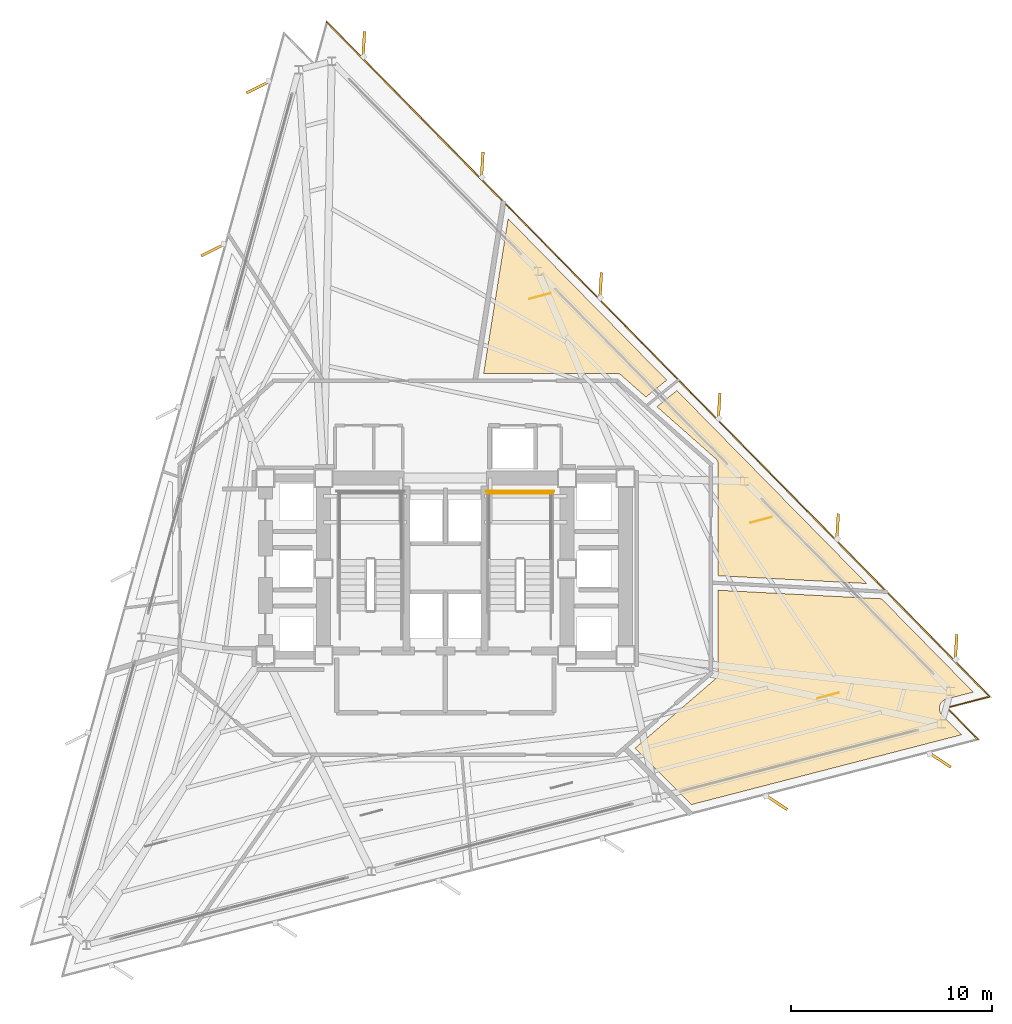
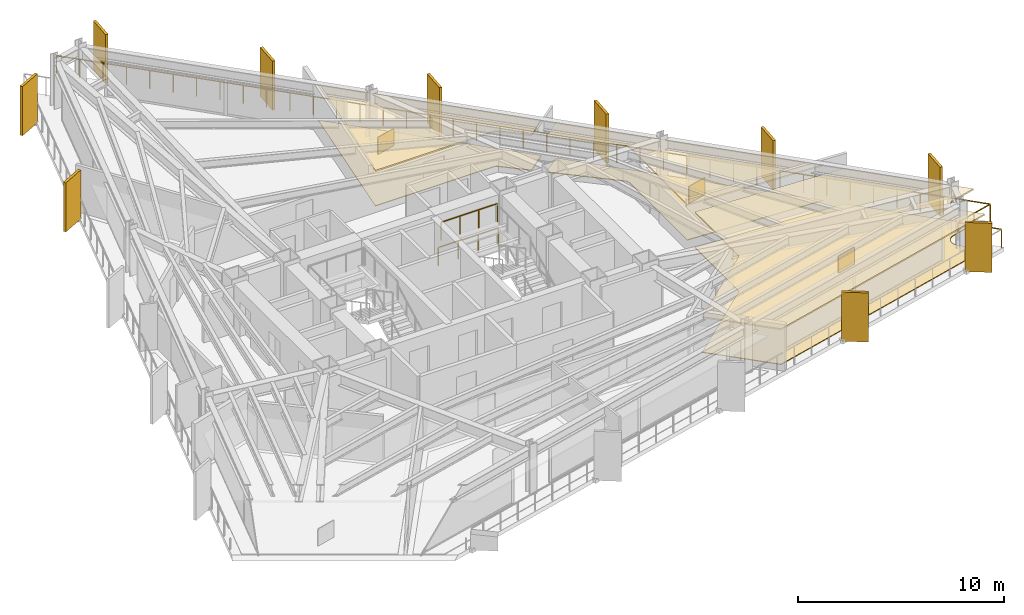
# One storey, part 11 of 11: 10 shading devices, 9 coverings, 3 railings.
"""IFC4 building model written with IfcOpenShell, lengths in metres."""

from ifc_helpers import new_model, si_unit, direction, frame, origin, origin_2d, place, context, subcontext, project, spatial, polyline, rectangle, outline, extrude, material, layer, layer_set, type_object, element, save


model = new_model("IFC4")

# Units and contexts
model_context = context("Model", 3, precision=1e-05, world=origin(), true_north=direction((0.0, 1.0)))
body_context = subcontext(model_context, "Body", "Model", "MODEL_VIEW")
ifc_project = project(units=[si_unit("LENGTHUNIT", "METRE"), si_unit("AREAUNIT", "SQUARE_METRE"), si_unit("VOLUMEUNIT", "CUBIC_METRE"), si_unit("PLANEANGLEUNIT", "RADIAN"), si_unit("MASSUNIT", "GRAM", prefix="KILO")], contexts=[model_context])

# Site, building, storey
site_placement = place(None, origin())
site = spatial("IfcSite", under=ifc_project, at=site_placement, CompositionType="ELEMENT")
building_placement = place(site_placement, origin())
building = spatial("IfcBuilding", under=site, at=building_placement, Name="Rocaltana Carrier Exchange", CompositionType="ELEMENT")
storey_placement = place(building_placement, frame((0.0, 0.0, 94.719970703125)))
storey = spatial("IfcBuildingStorey", under=building, at=storey_placement, Name="L29", CompositionType="ELEMENT", Elevation=94.719970703125)

# Coverings
ifc_material_1 = material(Name="Honed Bogota Sandstone Tile", Category="masonry")
ifc_layer_1 = layer(ifc_material_1, 0.0400390625)
ifc_layer_set_1 = layer_set([ifc_layer_1], Name="Honed Bogota Sandstone Tile")
covering_type_1 = type_object("IfcCoveringType", Name="Honed Stone Lobby Flooring 40", PredefinedType="FLOORING", material=ifc_layer_set_1)
covering_1_placement = place(storey_placement, origin())
element("IfcCovering", 1, at=covering_1_placement, inside=storey, type_object=covering_type_1, Name="L29 Carrier Peering Suite Finish Floor", PredefinedType="FLOORING", context=body_context, shape_type="SweptSolid", body=[
    extrude(outline(polyline([(26.24072265625, -6.1357421875), (24.915771484375, -6.478515625), (24.90234375, -6.482177734375), (24.88330078125, -6.48828125), (24.857177734375, -6.497802734375), (24.838623046875, -6.505615234375), (24.813720703125, -6.517822265625), (24.796142578125, -6.52734375), (24.7724609375, -6.5419921875), (24.755859375, -6.553466796875), (24.73388671875, -6.5703125), (24.718505859375, -6.583251953125), (24.697998046875, -6.602294921875), (24.684326171875, -6.61669921875), (24.666015625, -6.6376953125), (24.653564453125, -6.6533203125), (24.63720703125, -6.67578125), (24.62646484375, -6.692626953125), (24.61279296875, -6.717041015625), (24.603515625, -6.734619140625), (24.59228515625, -6.76025390625), (24.5849609375, -6.77880859375), (24.576416015625, -6.805419921875), (24.57080078125, -6.824462890625), (24.564697265625, -6.851806640625), (24.561279296875, -6.871337890625), (24.55810546875, -6.899169921875), (24.556640625, -6.9189453125), (24.55615234375, -6.947021484375), (24.556640625, -6.966796875), (24.558837890625, -6.99462890625), (24.561279296875, -7.014404296875), (24.56640625, -7.0419921875), (24.57080078125, -7.061279296875), (24.57861328125, -7.088134765625), (24.5849609375, -7.10693359375), (24.59521484375, -7.133056640625), (24.603515625, -7.151123046875), (24.6162109375, -7.17578125), (24.626220703125, -7.193115234375), (24.6416015625, -7.216552734375), (24.6533203125, -7.232666015625), (24.6708984375, -7.25439453125), (24.68408203125, -7.269287109375), (24.693603515625, -7.279541015625), (25.65283203125, -8.255615234375), (12.23486328125, -11.725830078125), (9.431640625, -8.922607421875), (13.43505859375, -5.47265625), (13.44482421875, -5.4638671875), (13.450439453125, -5.45849609375), (13.468994140625, -5.439208984375), (13.47412109375, -5.433349609375), (13.490478515625, -5.41259765625), (13.4951171875, -5.40625), (13.509521484375, -5.3837890625), (13.51318359375, -5.377197265625), (13.525634765625, -5.353515625), (13.52880859375, -5.346435546875), (13.538818359375, -5.32177734375), (13.541259765625, -5.314453125), (13.548828125, -5.288818359375), (13.550537109375, -5.281494140625), (13.5556640625, -5.255126953125), (13.556884765625, -5.24755859375), (13.559326171875, -5.220947265625), (13.559814453125, -5.21337890625), (13.56005859375, -5.199951171875), (13.56005859375, -1.071044921875), (21.68212890625, -1.496826171875), (26.24072265625, -6.1357421875)])), origin(), (0.0, 0.0, 1.0), 0.0400390625),
])
covering_2_placement = place(storey_placement, origin())
element("IfcCovering", 2, at=covering_2_placement, inside=storey, type_object=covering_type_1, Name="L29 Peering Conference Room Finish Floor", PredefinedType="FLOORING", context=body_context, shape_type="SweptSolid", body=[
    extrude(outline(polyline([(20.935302734375, -0.73681640625), (13.56005859375, -0.35009765625), (13.56005859375, 5.199951171875), (13.559814453125, 5.213134765625), (13.559326171875, 5.220703125), (13.556884765625, 5.246826171875), (13.555908203125, 5.25439453125), (13.55078125, 5.2802734375), (13.549072265625, 5.28759765625), (13.541748046875, 5.31298828125), (13.539306640625, 5.320068359375), (13.529541015625, 5.344482421875), (13.526611328125, 5.351318359375), (13.5146484375, 5.375), (13.5107421875, 5.38134765625), (13.49658203125, 5.40380859375), (13.492431640625, 5.409912109375), (13.476318359375, 5.4306640625), (13.471435546875, 5.436279296875), (13.453369140625, 5.455810546875), (13.447998046875, 5.4609375), (13.438232421875, 5.469970703125), (10.5146484375, 8.051513671875), (11.50830078125, 8.856201171875), (20.935302734375, -0.73681640625)])), origin(), (0.0, 0.0, 1.0), 0.0400390625),
])
covering_3_placement = place(storey_placement, origin())
element("IfcCovering", 3, at=covering_3_placement, inside=storey, type_object=covering_type_1, Name="L29 Carrier Peering Suite Finish Floor", PredefinedType="FLOORING", context=body_context, shape_type="SweptSolid", body=[
    extrude(outline(polyline([(11.00146484375, 9.3720703125), (9.96728515625, 8.53466796875), (8.73828125, 9.619873046875), (8.727294921875, 9.629150390625), (8.720703125, 9.63427734375), (8.697265625, 9.651123046875), (8.690185546875, 9.655517578125), (8.6650390625, 9.669921875), (8.65771484375, 9.673583984375), (8.631103515625, 9.68505859375), (8.62353515625, 9.68798828125), (8.595947265625, 9.697021484375), (8.587890625, 9.698974609375), (8.5595703125, 9.704833984375), (8.551513671875, 9.706298828125), (8.522705078125, 9.709228515625), (8.514404296875, 9.709716796875), (8.5, 9.7099609375), (1.90234375, 9.7099609375), (3.119384765625, 17.392822265625), (11.00146484375, 9.3720703125)])), origin(), (0.0, 0.0, 1.0), 0.0400390625),
])
ifc_material_2 = material(Name="Anodised Aluminium 6063-T6", Category="aluminium")
ifc_layer_2 = layer(ifc_material_2, 0.0849609375)
ifc_layer_set_2 = layer_set([ifc_layer_2], Name="Anodised Aluminium 6063-T6")
covering_type_2 = type_object("IfcCoveringType", Name="Linear Baffle Acoustic Ceiling 85", PredefinedType="CEILING", material=ifc_layer_set_2)
covering_4_placement = place(storey_placement, frame((0.0, 0.0, 2.052978515625)))
element("IfcCovering", 4, at=covering_4_placement, inside=storey, type_object=covering_type_2, Name="L29 Carrier Peering Suite Acoustic Ceiling", PredefinedType="CEILING", context=body_context, shape_type="SweptSolid", body=[
    extrude(outline(polyline([(26.24072265625, -6.1357421875), (24.915771484375, -6.478515625), (24.90234375, -6.482177734375), (24.88330078125, -6.48828125), (24.857177734375, -6.497802734375), (24.838623046875, -6.505615234375), (24.813720703125, -6.517822265625), (24.796142578125, -6.52734375), (24.7724609375, -6.5419921875), (24.755859375, -6.553466796875), (24.73388671875, -6.5703125), (24.718505859375, -6.583251953125), (24.697998046875, -6.602294921875), (24.684326171875, -6.61669921875), (24.666015625, -6.6376953125), (24.653564453125, -6.6533203125), (24.63720703125, -6.67578125), (24.62646484375, -6.692626953125), (24.61279296875, -6.717041015625), (24.603515625, -6.734619140625), (24.59228515625, -6.76025390625), (24.5849609375, -6.77880859375), (24.576416015625, -6.805419921875), (24.57080078125, -6.824462890625), (24.564697265625, -6.851806640625), (24.561279296875, -6.871337890625), (24.55810546875, -6.899169921875), (24.556640625, -6.9189453125), (24.55615234375, -6.947021484375), (24.556640625, -6.966796875), (24.558837890625, -6.99462890625), (24.561279296875, -7.014404296875), (24.56640625, -7.0419921875), (24.57080078125, -7.061279296875), (24.57861328125, -7.088134765625), (24.5849609375, -7.10693359375), (24.59521484375, -7.133056640625), (24.603515625, -7.151123046875), (24.6162109375, -7.17578125), (24.626220703125, -7.193115234375), (24.6416015625, -7.216552734375), (24.6533203125, -7.232666015625), (24.6708984375, -7.25439453125), (24.68408203125, -7.269287109375), (24.693603515625, -7.279541015625), (25.65283203125, -8.255615234375), (12.23486328125, -11.725830078125), (9.431640625, -8.922607421875), (13.43505859375, -5.47265625), (13.44482421875, -5.4638671875), (13.450439453125, -5.45849609375), (13.468994140625, -5.439208984375), (13.47412109375, -5.433349609375), (13.490478515625, -5.41259765625), (13.4951171875, -5.40625), (13.509521484375, -5.3837890625), (13.51318359375, -5.377197265625), (13.525634765625, -5.353515625), (13.52880859375, -5.346435546875), (13.538818359375, -5.32177734375), (13.541259765625, -5.314453125), (13.548828125, -5.288818359375), (13.550537109375, -5.281494140625), (13.5556640625, -5.255126953125), (13.556884765625, -5.24755859375), (13.559326171875, -5.220947265625), (13.559814453125, -5.21337890625), (13.56005859375, -5.199951171875), (13.56005859375, -1.071044921875), (21.68212890625, -1.496826171875), (26.24072265625, -6.1357421875)])), origin(), (0.0, 0.0, 1.0), 0.0849609375),
])
covering_5_placement = place(storey_placement, frame((0.0, 0.0, 2.052978515625)))
element("IfcCovering", 5, at=covering_5_placement, inside=storey, type_object=covering_type_2, Name="L29 Peering Conference Room Acoustic Ceiling", PredefinedType="CEILING", context=body_context, shape_type="SweptSolid", body=[
    extrude(outline(polyline([(20.935302734375, -0.73681640625), (13.56005859375, -0.35009765625), (13.56005859375, 5.199951171875), (13.559814453125, 5.213134765625), (13.559326171875, 5.220703125), (13.556884765625, 5.246826171875), (13.555908203125, 5.25439453125), (13.55078125, 5.2802734375), (13.549072265625, 5.28759765625), (13.541748046875, 5.31298828125), (13.539306640625, 5.320068359375), (13.529541015625, 5.344482421875), (13.526611328125, 5.351318359375), (13.5146484375, 5.375), (13.5107421875, 5.38134765625), (13.49658203125, 5.40380859375), (13.492431640625, 5.409912109375), (13.476318359375, 5.4306640625), (13.471435546875, 5.436279296875), (13.453369140625, 5.455810546875), (13.447998046875, 5.4609375), (13.438232421875, 5.469970703125), (10.5146484375, 8.051513671875), (11.50830078125, 8.856201171875), (20.935302734375, -0.73681640625)])), origin(), (0.0, 0.0, 1.0), 0.0849609375),
])
covering_6_placement = place(storey_placement, frame((0.0, 0.0, 2.052978515625)))
element("IfcCovering", 6, at=covering_6_placement, inside=storey, type_object=covering_type_2, Name="L29 Carrier Peering Suite Acoustic Ceiling", PredefinedType="CEILING", context=body_context, shape_type="SweptSolid", body=[
    extrude(outline(polyline([(11.00146484375, 9.3720703125), (9.96728515625, 8.53466796875), (8.73828125, 9.619873046875), (8.727294921875, 9.629150390625), (8.720703125, 9.63427734375), (8.697265625, 9.651123046875), (8.690185546875, 9.655517578125), (8.6650390625, 9.669921875), (8.65771484375, 9.673583984375), (8.631103515625, 9.68505859375), (8.62353515625, 9.68798828125), (8.595947265625, 9.697021484375), (8.587890625, 9.698974609375), (8.5595703125, 9.704833984375), (8.551513671875, 9.706298828125), (8.522705078125, 9.709228515625), (8.514404296875, 9.709716796875), (8.5, 9.7099609375), (1.90234375, 9.7099609375), (3.119384765625, 17.392822265625), (11.00146484375, 9.3720703125)])), origin(), (0.0, 0.0, 1.0), 0.0849609375),
])

# Railings
ifc_material_3 = material(Name="Powder-Coated Aluminium 6063-T6", Category="aluminium")
ifc_layer_3 = layer(ifc_material_3, 0.048095703125)
ifc_layer_set_3 = layer_set([ifc_layer_3], Name="Powder-Coated Aluminium 6063-T6")
railing_type_1 = type_object("IfcRailingType", Name="Stair Well Guardrail 1100", PredefinedType="GUARDRAIL", material=ifc_layer_set_3)
railing_1_placement = place(storey_placement, frame((5.300048828125, 3.75, 1.52001953125)))
element("IfcRailing", 7, at=railing_1_placement, inside=storey, type_object=railing_type_1, Name="L29 ST-2 stair guard 5", PredefinedType="GUARDRAIL", context=body_context, shape_type="SweptSolid", body=[
    extrude(rectangle(XDim=0.048095703125, YDim=0.048095703125, at=origin_2d()), frame((0.0, 0.0, 1.076171875), z_axis=(-1.0, 0.0, 0.0), x_axis=(0.0, -1.0, 0.0)), (0.0, 0.0, 1.0), 3.16015625),
    extrude(rectangle(XDim=0.0419921875, YDim=0.0419921875, at=origin_2d()), origin(), (0.0, 0.0, 1.0), 1.052001953125),
    extrude(rectangle(XDim=0.0419921875, YDim=0.0419921875, at=origin_2d()), frame((-1.053466796875, 0.0, 0.0)), (0.0, 0.0, 1.0), 1.052001953125),
    extrude(rectangle(XDim=0.0419921875, YDim=0.0419921875, at=origin_2d()), frame((-2.106689453125, 0.0, 0.0)), (0.0, 0.0, 1.0), 1.052001953125),
    extrude(rectangle(XDim=0.0419921875, YDim=0.0419921875, at=origin_2d()), frame((-3.16015625, 0.0, 0.0)), (0.0, 0.0, 1.0), 1.052001953125),
])
railing_2_placement = place(storey_placement, frame((5.39990234375, 3.85009765625, 0.0)))
element("IfcRailing", 8, at=railing_2_placement, inside=storey, type_object=railing_type_1, Name="L29 ST-2 stair guard 12", PredefinedType="GUARDRAIL", context=body_context, shape_type="SweptSolid", body=[
    extrude(rectangle(XDim=0.048095703125, YDim=0.048095703125, at=origin_2d()), frame((0.0, 0.0, 1.076171875), z_axis=(-1.0, 0.0, 0.0), x_axis=(0.0, -1.0, 0.0)), (0.0, 0.0, 1.0), 3.35986328125),
    extrude(rectangle(XDim=0.0419921875, YDim=0.0419921875, at=origin_2d()), origin(), (0.0, 0.0, 1.0), 1.052001953125),
    extrude(rectangle(XDim=0.0419921875, YDim=0.0419921875, at=origin_2d()), frame((-1.119873046875, 0.0, 0.0)), (0.0, 0.0, 1.0), 1.052001953125),
    extrude(rectangle(XDim=0.0419921875, YDim=0.0419921875, at=origin_2d()), frame((-2.239990234375, 0.0, 0.0)), (0.0, 0.0, 1.0), 1.052001953125),
    extrude(rectangle(XDim=0.0419921875, YDim=0.0419921875, at=origin_2d()), frame((-3.35986328125, 0.0, 0.0)), (0.0, 0.0, 1.0), 1.052001953125),
])

# Coverings
ifc_material_4 = material(Name="Honed Piedra Muneca Sandstone", Category="masonry")
ifc_layer_4 = layer(ifc_material_4, 0.034912109375)
ifc_layer_set_4 = layer_set([ifc_layer_4], Name="Honed Piedra Muneca Sandstone")
covering_type_3 = type_object("IfcCoveringType", Name="Stone Facade Cladding 35", PredefinedType="CLADDING", material=ifc_layer_set_4)
for number, where, z_axis, x_axis, name in (
    (9, (19.0224609375, -6.306884765625, 0.0), (0.0, 0.0, 1.0), (0.965925826289, 0.258819045103, 0.0), "L29 Stone Facade Cladding Panel 5"),
    (10, (15.694091796875, 2.4248046875, 0.0), (0.0, 0.0, 1.0), (0.965925826289, 0.258819045103, 0.0), "L29 Stone Facade Cladding Panel 6"),
    (11, (4.702392578125, 13.551513671875, 0.0), (0.0, 0.0, 1.0), (0.965925826289, 0.258819045103, 0.0), "L29 Stone Facade Cladding Panel 7"),
):
    element("IfcCovering", number, at=place(storey_placement, frame(where, z_axis=z_axis, x_axis=x_axis)), inside=storey, type_object=covering_type_3, Name=name, PredefinedType="CLADDING", context=body_context, shape_type="SweptSolid", body=[
        extrude(rectangle(XDim=1.10009765625, YDim=0.034912109375, at=origin_2d()), origin(), (0.0, 0.0, 1.0), 1.050048828125),
    ])

# Shading devices
ifc_material_5 = material(Name="Honed Bogota Sandstone & Concrete C45/55", Category="masonry")
ifc_layer_5 = layer(ifc_material_5, 0.139892578125)
ifc_layer_set_5 = layer_set([ifc_layer_5], Name="Honed Bogota Sandstone & Concrete C45/55")
shading_device_type = type_object("IfcShadingDeviceType", Name="Vertical Sandstone Shading Fin 1320x140", PredefinedType="USERDEFINED", material=ifc_layer_set_5)
for number, where, z_axis, x_axis, name in (
    (12, (25.38134765625, -3.9189453125, -0.1201171875), (0.0, 0.0, 1.0), (0.061048539535, 0.998134798422, 0.0), "L29 Sandstone Vertical Fin F1-01"),
    (13, (19.49365234375, 2.072509765625, -0.1201171875), (0.0, 0.0, 1.0), (0.061048539535, 0.998134798422, 0.0), "L29 Sandstone Vertical Fin F1-02"),
    (14, (13.60595703125, 8.063720703125, -0.1201171875), (0.0, 0.0, 1.0), (0.061048539535, 0.998134798422, 0.0), "L29 Sandstone Vertical Fin F1-03"),
    (15, (7.718505859375, 14.054931640625, -0.1201171875), (0.0, 0.0, 1.0), (0.061048539535, 0.998134798422, 0.0), "L29 Sandstone Vertical Fin F1-04"),
    (16, (1.830810546875, 20.04638671875, -0.1201171875), (0.0, 0.0, 1.0), (0.061048539535, 0.998134798422, 0.0), "L29 Sandstone Vertical Fin F1-05"),
    (17, (-4.056884765625, 26.03759765625, -0.1201171875), (0.0, 0.0, 1.0), (0.061048539535, 0.998134798422, 0.0), "L29 Sandstone Vertical Fin F1-06"),
    (18, (-9.296630859375, 23.940185546875, -0.1201171875), (0.0, 0.0, 1.0), (-0.894934361602, -0.44619781311, 0.0), "L29 Sandstone Vertical Fin F2-01"),
    (19, (-11.54150390625, 15.845703125, -0.1201171875), (0.0, 0.0, 1.0), (-0.894934361602, -0.44619781311, 0.0), "L29 Sandstone Vertical Fin F2-02"),
    (20, (16.4453125, -11.608642578125, -0.1201171875), (0.0, 0.0, 1.0), (0.833885822067, -0.551936985312, 0.0), "L29 Sandstone Vertical Fin F3-05"),
    (21, (24.57763671875, -9.50537109375, -0.1201171875), (0.0, 0.0, 1.0), (0.833885822067, -0.551936985312, 0.0), "L29 Sandstone Vertical Fin F3-06"),
):
    element("IfcShadingDevice", number, at=place(storey_placement, frame(where, z_axis=z_axis, x_axis=x_axis)), inside=storey, type_object=shading_device_type, Name=name, ObjectType="FIN", PredefinedType="USERDEFINED", context=body_context, shape_type="SweptSolid", body=[
        extrude(rectangle(XDim=1.320068359375, YDim=0.139892578125, at=origin_2d()), origin(), (0.0, 0.0, 1.0), 2.907958984375),
    ])

# Railing
ifc_material_6 = material(Name="Powder-Coated Aluminium 6063-T6", Category="aluminium")
ifc_layer_6 = layer(ifc_material_6, 0.06005859375)
ifc_layer_set_6 = layer_set([ifc_layer_6], Name="Powder-Coated Aluminium 6063-T6")
railing_type_2 = type_object("IfcRailingType", Name="Wind-Floor & Terrace Perimeter Guardrail 1100", PredefinedType="GUARDRAIL", material=ifc_layer_set_6)
railing_3_placement = place(storey_placement, frame((-5.88720703125, 27.156982421875, 0.0)))
element("IfcRailing", 22, at=railing_3_placement, inside=storey, type_object=railing_type_2, Name="L29 Perimeter Balcony Guardrail 3", PredefinedType="GUARDRAIL", context=body_context, shape_type="SweptSolid", body=[
    extrude(rectangle(XDim=0.048095703125, YDim=0.048095703125, at=origin_2d()), frame((0.0, 0.0, 1.076171875), z_axis=(0.7009130267, -0.713246751835, 0.0), x_axis=(0.713246751835, 0.7009130267, 0.0)), (0.0, 0.0, 1.0), 46.9921875),
    extrude(rectangle(XDim=0.048095703125, YDim=0.048095703125, at=origin_2d()), frame((32.9375, -33.51708984375, 1.076171875), z_axis=(-0.968152477167, -0.250361300835, 0.0), x_axis=(0.250361300835, -0.968152477167, 0.0)), (0.0, 0.0, 1.0), 2.199951171875),
    extrude(rectangle(XDim=0.048095703125, YDim=0.048095703125, at=origin_2d()), frame((30.8076171875, -34.06787109375, 1.076171875), z_axis=(0.700920820206, -0.713239093012, 0.0), x_axis=(0.713239093012, 0.700920820206, 0.0)), (0.0, 0.0, 1.0), 2.199951171875),
    extrude(rectangle(XDim=0.0419921875, YDim=0.0419921875, at=origin_2d()), origin(), (0.0, 0.0, 1.0), 1.052001953125),
    extrude(rectangle(XDim=0.0419921875, YDim=0.0419921875, at=origin_2d()), frame((0.823486328125, -0.837890625, 0.0)), (0.0, 0.0, 1.0), 1.052001953125),
    extrude(rectangle(XDim=0.0419921875, YDim=0.0419921875, at=origin_2d()), frame((1.64697265625, -1.67578125, 0.0)), (0.0, 0.0, 1.0), 1.052001953125),
    extrude(rectangle(XDim=0.0419921875, YDim=0.0419921875, at=origin_2d()), frame((2.47021484375, -2.513671875, 0.0)), (0.0, 0.0, 1.0), 1.052001953125),
    extrude(rectangle(XDim=0.0419921875, YDim=0.0419921875, at=origin_2d()), frame((3.293701171875, -3.351806640625, 0.0)), (0.0, 0.0, 1.0), 1.052001953125),
    extrude(rectangle(XDim=0.0419921875, YDim=0.0419921875, at=origin_2d()), frame((4.1171875, -4.189697265625, 0.0)), (0.0, 0.0, 1.0), 1.052001953125),
    extrude(rectangle(XDim=0.0419921875, YDim=0.0419921875, at=origin_2d()), frame((4.940673828125, -5.027587890625, 0.0)), (0.0, 0.0, 1.0), 1.052001953125),
    extrude(rectangle(XDim=0.0419921875, YDim=0.0419921875, at=origin_2d()), frame((5.76416015625, -5.865478515625, 0.0)), (0.0, 0.0, 1.0), 1.052001953125),
    extrude(rectangle(XDim=0.0419921875, YDim=0.0419921875, at=origin_2d()), frame((6.58740234375, -6.703369140625, 0.0)), (0.0, 0.0, 1.0), 1.052001953125),
    extrude(rectangle(XDim=0.0419921875, YDim=0.0419921875, at=origin_2d()), frame((7.410888671875, -7.541259765625, 0.0)), (0.0, 0.0, 1.0), 1.052001953125),
    extrude(rectangle(XDim=0.0419921875, YDim=0.0419921875, at=origin_2d()), frame((8.234375, -8.37939453125, 0.0)), (0.0, 0.0, 1.0), 1.052001953125),
    extrude(rectangle(XDim=0.0419921875, YDim=0.0419921875, at=origin_2d()), frame((9.057861328125, -9.21728515625, 0.0)), (0.0, 0.0, 1.0), 1.052001953125),
    extrude(rectangle(XDim=0.0419921875, YDim=0.0419921875, at=origin_2d()), frame((9.88134765625, -10.05517578125, 0.0)), (0.0, 0.0, 1.0), 1.052001953125),
    extrude(rectangle(XDim=0.0419921875, YDim=0.0419921875, at=origin_2d()), frame((10.70458984375, -10.89306640625, 0.0)), (0.0, 0.0, 1.0), 1.052001953125),
    extrude(rectangle(XDim=0.0419921875, YDim=0.0419921875, at=origin_2d()), frame((11.528076171875, -11.73095703125, 0.0)), (0.0, 0.0, 1.0), 1.052001953125),
    extrude(rectangle(XDim=0.0419921875, YDim=0.0419921875, at=origin_2d()), frame((12.3515625, -12.56884765625, 0.0)), (0.0, 0.0, 1.0), 1.052001953125),
    extrude(rectangle(XDim=0.0419921875, YDim=0.0419921875, at=origin_2d()), frame((13.175048828125, -13.40673828125, 0.0)), (0.0, 0.0, 1.0), 1.052001953125),
    extrude(rectangle(XDim=0.0419921875, YDim=0.0419921875, at=origin_2d()), frame((13.99853515625, -14.244873046875, 0.0)), (0.0, 0.0, 1.0), 1.052001953125),
    extrude(rectangle(XDim=0.0419921875, YDim=0.0419921875, at=origin_2d()), frame((14.82177734375, -15.082763671875, 0.0)), (0.0, 0.0, 1.0), 1.052001953125),
    extrude(rectangle(XDim=0.0419921875, YDim=0.0419921875, at=origin_2d()), frame((15.645263671875, -15.920654296875, 0.0)), (0.0, 0.0, 1.0), 1.052001953125),
    extrude(rectangle(XDim=0.0419921875, YDim=0.0419921875, at=origin_2d()), frame((16.46875, -16.758544921875, 0.0)), (0.0, 0.0, 1.0), 1.052001953125),
    extrude(rectangle(XDim=0.0419921875, YDim=0.0419921875, at=origin_2d()), frame((17.292236328125, -17.596435546875, 0.0)), (0.0, 0.0, 1.0), 1.052001953125),
    extrude(rectangle(XDim=0.0419921875, YDim=0.0419921875, at=origin_2d()), frame((18.11572265625, -18.434326171875, 0.0)), (0.0, 0.0, 1.0), 1.052001953125),
    extrude(rectangle(XDim=0.0419921875, YDim=0.0419921875, at=origin_2d()), frame((18.93896484375, -19.272216796875, 0.0)), (0.0, 0.0, 1.0), 1.052001953125),
    extrude(rectangle(XDim=0.0419921875, YDim=0.0419921875, at=origin_2d()), frame((19.762451171875, -20.1103515625, 0.0)), (0.0, 0.0, 1.0), 1.052001953125),
    extrude(rectangle(XDim=0.0419921875, YDim=0.0419921875, at=origin_2d()), frame((20.5859375, -20.9482421875, 0.0)), (0.0, 0.0, 1.0), 1.052001953125),
    extrude(rectangle(XDim=0.0419921875, YDim=0.0419921875, at=origin_2d()), frame((21.409423828125, -21.7861328125, 0.0)), (0.0, 0.0, 1.0), 1.052001953125),
    extrude(rectangle(XDim=0.0419921875, YDim=0.0419921875, at=origin_2d()), frame((22.23291015625, -22.6240234375, 0.0)), (0.0, 0.0, 1.0), 1.052001953125),
    extrude(rectangle(XDim=0.0419921875, YDim=0.0419921875, at=origin_2d()), frame((23.05615234375, -23.4619140625, 0.0)), (0.0, 0.0, 1.0), 1.052001953125),
    extrude(rectangle(XDim=0.0419921875, YDim=0.0419921875, at=origin_2d()), frame((23.879638671875, -24.2998046875, 0.0)), (0.0, 0.0, 1.0), 1.052001953125),
    extrude(rectangle(XDim=0.0419921875, YDim=0.0419921875, at=origin_2d()), frame((24.703125, -25.1376953125, 0.0)), (0.0, 0.0, 1.0), 1.052001953125),
    extrude(rectangle(XDim=0.0419921875, YDim=0.0419921875, at=origin_2d()), frame((25.526611328125, -25.975830078125, 0.0)), (0.0, 0.0, 1.0), 1.052001953125),
    extrude(rectangle(XDim=0.0419921875, YDim=0.0419921875, at=origin_2d()), frame((26.35009765625, -26.813720703125, 0.0)), (0.0, 0.0, 1.0), 1.052001953125),
    extrude(rectangle(XDim=0.0419921875, YDim=0.0419921875, at=origin_2d()), frame((27.17333984375, -27.651611328125, 0.0)), (0.0, 0.0, 1.0), 1.052001953125),
    extrude(rectangle(XDim=0.0419921875, YDim=0.0419921875, at=origin_2d()), frame((27.996826171875, -28.489501953125, 0.0)), (0.0, 0.0, 1.0), 1.052001953125),
    extrude(rectangle(XDim=0.0419921875, YDim=0.0419921875, at=origin_2d()), frame((28.8203125, -29.327392578125, 0.0)), (0.0, 0.0, 1.0), 1.052001953125),
    extrude(rectangle(XDim=0.0419921875, YDim=0.0419921875, at=origin_2d()), frame((29.643798828125, -30.165283203125, 0.0)), (0.0, 0.0, 1.0), 1.052001953125),
    extrude(rectangle(XDim=0.0419921875, YDim=0.0419921875, at=origin_2d()), frame((30.46728515625, -31.00341796875, 0.0)), (0.0, 0.0, 1.0), 1.052001953125),
    extrude(rectangle(XDim=0.0419921875, YDim=0.0419921875, at=origin_2d()), frame((31.29052734375, -31.84130859375, 0.0)), (0.0, 0.0, 1.0), 1.052001953125),
    extrude(rectangle(XDim=0.0419921875, YDim=0.0419921875, at=origin_2d()), frame((32.114013671875, -32.67919921875, 0.0)), (0.0, 0.0, 1.0), 1.052001953125),
    extrude(rectangle(XDim=0.0419921875, YDim=0.0419921875, at=origin_2d()), frame((32.9375, -33.51708984375, 0.0)), (0.0, 0.0, 1.0), 1.052001953125),
    extrude(rectangle(XDim=0.0419921875, YDim=0.0419921875, at=origin_2d()), frame((31.87255859375, -33.79248046875, 0.0)), (0.0, 0.0, 1.0), 1.052001953125),
    extrude(rectangle(XDim=0.0419921875, YDim=0.0419921875, at=origin_2d()), frame((30.8076171875, -34.06787109375, 0.0)), (0.0, 0.0, 1.0), 1.052001953125),
    extrude(rectangle(XDim=0.0419921875, YDim=0.0419921875, at=origin_2d()), frame((31.57861328125, -34.8525390625, 0.0)), (0.0, 0.0, 1.0), 1.052001953125),
    extrude(rectangle(XDim=0.0419921875, YDim=0.0419921875, at=origin_2d()), frame((32.349609375, -35.636962890625, 0.0)), (0.0, 0.0, 1.0), 1.052001953125),
])

save(model, "model.ifc")
